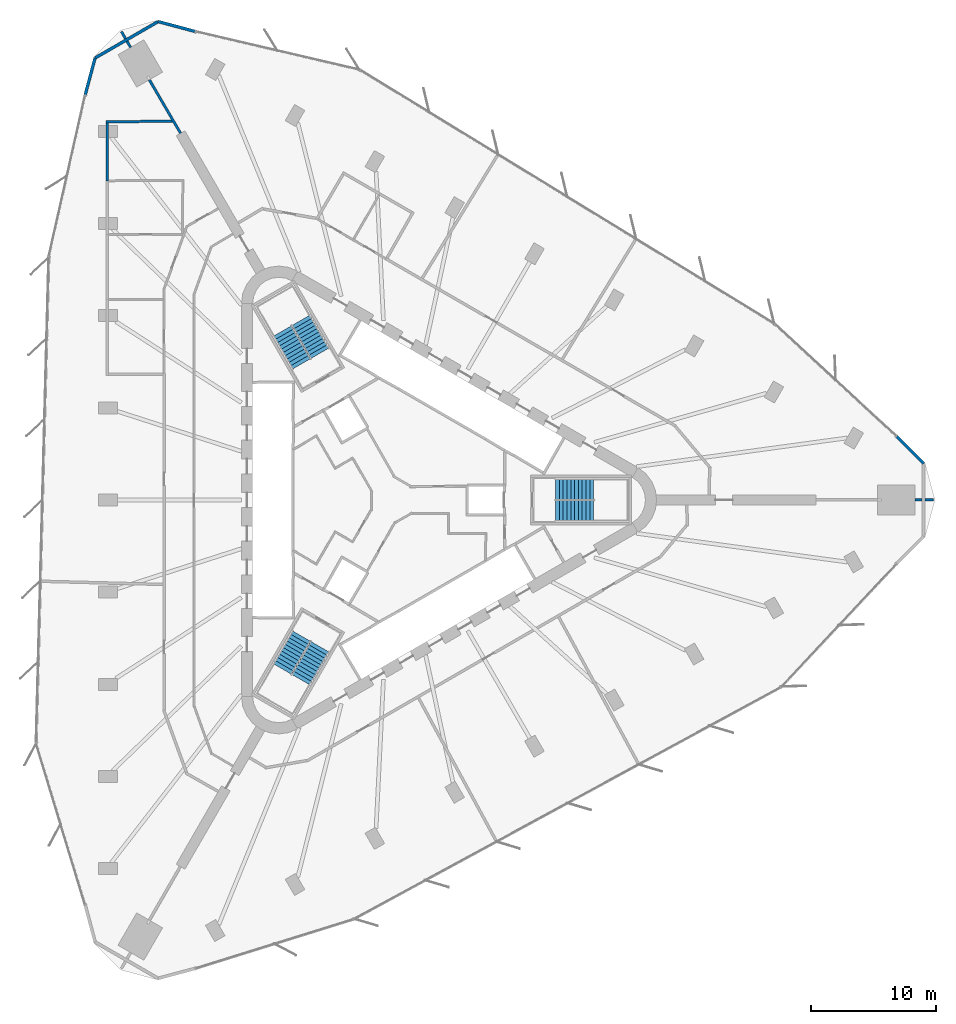
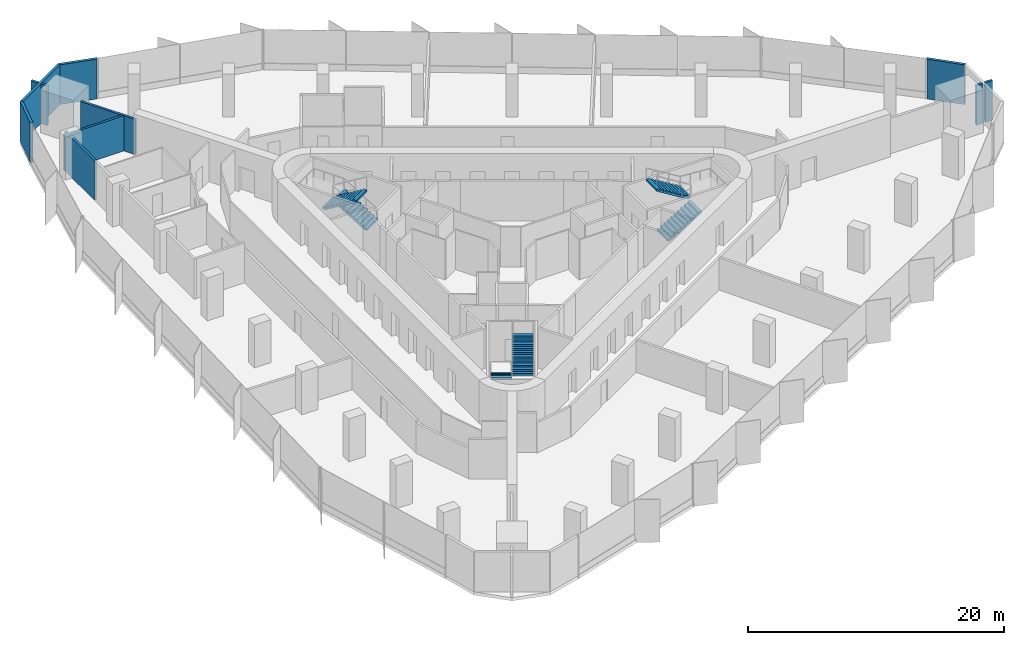
# One storey, part 13 of 14: 11 walls, 6 stair flights, 3 elements without a shape of their own.
"""IFC4 building model written with IfcOpenShell, lengths in metres."""

from ifc_helpers import new_model, si_unit, direction, frame, frame_2d, origin, place, context, subcontext, project, spatial, polyline, rectangle, outline, extrude, material, layer, layer_set, type_object, element, aggregate, save


model = new_model("IFC4")

# Units and contexts
model_context = context("Model", 3, precision=1e-05, world=origin(), true_north=direction((0.0, 1.0)))
body_context = subcontext(model_context, "Body", "Model", "MODEL_VIEW")
ifc_project = project(units=[si_unit("LENGTHUNIT", "METRE"), si_unit("AREAUNIT", "SQUARE_METRE"), si_unit("VOLUMEUNIT", "CUBIC_METRE"), si_unit("PLANEANGLEUNIT", "RADIAN"), si_unit("MASSUNIT", "GRAM", prefix="KILO")], contexts=[model_context])

# Site, building, storey
site_placement = place(None, origin())
site = spatial("IfcSite", under=ifc_project, at=site_placement, CompositionType="ELEMENT")
building_placement = place(site_placement, origin())
building = spatial("IfcBuilding", under=site, at=building_placement, Name="Tanit Gate Tower", CompositionType="ELEMENT")
storey_placement = place(building_placement, frame((0.0, 0.0, 119.300048828125)))
storey = spatial("IfcBuildingStorey", under=building, at=storey_placement, Name="L25", CompositionType="ELEMENT", Elevation=119.300048828125)

# Walls
ifc_material_1 = material(Name="Concrete C30/37 with bronze anodised aluminium cladding", Category="concrete")
ifc_layer_1 = layer(ifc_material_1, 0.239990234375)
ifc_layer_set_1 = layer_set([ifc_layer_1], Name="Facade wall bronze clad 240")
wall_type_1 = type_object("IfcWallType", Name="Facade wall bronze clad 240", PredefinedType="SOLIDWALL", material=ifc_layer_set_1)
wall_1_placement = place(storey_placement, frame((-15.81689453125, 37.57763671875, 0.0), z_axis=(0.0, 0.0, 1.0), x_axis=(-0.965920651814, 0.258838355735, 0.0)))
element("IfcWall", 1, at=wall_1_placement, inside=storey, type_object=wall_type_1, Name="Bronze-clad facade wall L25 NW.arc1", PredefinedType="SOLIDWALL", context=body_context, shape_type="SweptSolid", body=[
    extrude(rectangle(XDim=3.062744140625, YDim=0.239990234375, at=frame_2d((1.53125, 0.0))), origin(), (0.0, 0.0, 1.0), 3.800048828125),
])
wall_2_placement = place(storey_placement, frame((-18.775146484375, 38.370361328125, 0.0), z_axis=(0.0, 0.0, 1.0), x_axis=(-0.866031321059, -0.49998975084, 0.0)))
element("IfcWall", 2, at=wall_2_placement, inside=storey, type_object=wall_type_1, Name="Bronze-clad facade wall L25 NW.arc2", PredefinedType="SOLIDWALL", context=body_context, shape_type="SweptSolid", body=[
    extrude(rectangle(XDim=5.8505859375, YDim=0.239990234375, at=frame_2d((2.92529296875, 0.0))), origin(), (0.0, 0.0, 1.0), 3.800048828125),
])
for number, where, z_axis, x_axis, name in (
    (3, (-23.842041015625, 35.445068359375, 0.0), (0.0, 0.0, 1.0), (-0.258805249011, -0.965929522835, 0.0), "Bronze-clad facade wall L25 NW.arc3"),
    (4, (42.617431640625, 2.92529296875, 0.0), (0.0, 0.0, 1.0), (-0.707106781187, 0.707106781187, 0.0), "Bronze-clad facade wall L25 E.arc3"),
):
    element("IfcWall", number, at=place(storey_placement, frame(where, z_axis=z_axis, x_axis=x_axis)), inside=storey, type_object=wall_type_1, Name=name, PredefinedType="SOLIDWALL", context=body_context, shape_type="SweptSolid", body=[
        extrude(rectangle(XDim=3.058349609375, YDim=0.239990234375, at=frame_2d((1.529296875, 0.0))), origin(), (0.0, 0.0, 1.0), 3.800048828125),
    ])
ifc_material_2 = material(Name="Fire-rated gypsum board partition")
ifc_layer_2 = layer(ifc_material_2, 0.199951171875)
ifc_layer_set_2 = layer_set([ifc_layer_2], Name="INT-WALL-COMPARTMENT")
wall_type_2 = type_object("IfcWallType", Name="INT-WALL-COMPARTMENT", PredefinedType="PARTITIONING", material=ifc_layer_set_2)
wall_3_placement = place(storey_placement, frame((-21.72265625, 37.564697265625, 0.0), z_axis=(0.0, 0.0, 1.0), x_axis=(0.499862072928, -0.866105021373, 0.0)))
element("IfcWall", 5, at=wall_3_placement, inside=storey, type_object=wall_type_2, Name="Wall Compartment W116", PredefinedType="PARTITIONING", context=body_context, shape_type="SweptSolid", body=[
    extrude(rectangle(XDim=0.656005859375, YDim=0.199951171875, at=frame_2d((0.328125, 0.0))), origin(), (0.0, 0.0, 1.0), 3.800048828125),
])
wall_4_placement = place(storey_placement, frame((-21.274658203125, 36.788818359375, 0.0), z_axis=(0.0, 0.0, 1.0), x_axis=(0.499857944771, -0.866107403877, 0.0)))
element("IfcWall", 6, at=wall_4_placement, inside=storey, type_object=wall_type_2, Name="Wall Compartment W116x1", PredefinedType="PARTITIONING", context=body_context, shape_type="SweptSolid", body=[
    extrude(rectangle(XDim=0.572021484375, YDim=0.199951171875, at=frame_2d((0.2861328125, 0.0))), origin(), (0.0, 0.0, 1.0), 3.800048828125),
])
wall_5_placement = place(storey_placement, frame((-19.48876953125, 33.695556640625, 0.0), z_axis=(0.0, 0.0, 1.0), x_axis=(0.50520690072, -0.862998254613, 0.0)))
element("IfcWall", 7, at=wall_5_placement, inside=storey, type_object=wall_type_2, Name="Wall Compartment W117", PredefinedType="PARTITIONING", context=body_context, shape_type="SweptSolid", body=[
    extrude(rectangle(XDim=4.96337890625, YDim=0.199951171875, at=frame_2d((2.481689453125, 0.0))), origin(), (0.0, 0.0, 1.0), 3.369873046875),
])
wall_6_placement = place(storey_placement, frame((-22.85009765625, 25.599853515625, 0.0), z_axis=(0.0, 0.0, 1.0), x_axis=(0.0, 1.0, 0.0)))
element("IfcWall", 8, at=wall_6_placement, inside=storey, type_object=wall_type_2, Name="Wall Compartment W123", PredefinedType="PARTITIONING", context=body_context, shape_type="SweptSolid", body=[
    extrude(rectangle(XDim=4.64013671875, YDim=0.199951171875, at=frame_2d((2.320068359375, 0.0))), origin(), (0.0, 0.0, 1.0), 3.800048828125),
])
wall_7_placement = place(storey_placement, frame((-17.5341796875, 30.3701171875, 0.0), z_axis=(0.0, 0.0, 1.0), x_axis=(-0.999983869047, -0.00567993362, 0.0)))
element("IfcWall", 9, at=wall_7_placement, inside=storey, type_object=wall_type_2, Name="Wall Compartment W122", PredefinedType="PARTITIONING", context=body_context, shape_type="SweptSolid", body=[
    extrude(rectangle(XDim=5.415771484375, YDim=0.199951171875, at=frame_2d((2.7080078125, 0.0))), origin(), (0.0, 0.0, 1.0), 3.369873046875),
])
wall_8_placement = place(storey_placement, frame((43.39306640625, 0.030029296875, 0.0), z_axis=(0.0, 0.0, 1.0), x_axis=(-1.0, 0.0, 0.0)))
element("IfcWall", 10, at=wall_8_placement, inside=storey, type_object=wall_type_2, Name="Wall Compartment W132", PredefinedType="PARTITIONING", context=body_context, shape_type="SweptSolid", body=[
    extrude(rectangle(XDim=0.65576171875, YDim=0.199951171875, at=frame_2d((0.327880859375, 0.0))), origin(), (0.0, 0.0, 1.0), 3.800048828125),
])
wall_9_placement = place(storey_placement, frame((42.497314453125, 0.030029296875, 0.0), z_axis=(0.0, 0.0, 1.0), x_axis=(-1.0, 0.0, 0.0)))
element("IfcWall", 11, at=wall_9_placement, inside=storey, type_object=wall_type_2, Name="Wall Compartment W132x1", PredefinedType="PARTITIONING", context=body_context, shape_type="SweptSolid", body=[
    extrude(rectangle(XDim=0.572021484375, YDim=0.199951171875, at=frame_2d((0.2861328125, 0.0))), origin(), (0.0, 0.0, 1.0), 3.800048828125),
])

# Stair, stair flights
ifc_material_3 = material(Name="Concrete C40/50", Category="concrete")
stair_type = type_object("IfcStairType", Name="INT-STAIR-EXIT", PredefinedType="HALF_TURN_STAIR", material=ifc_material_3)
stair_1_placement = place(storey_placement, origin())
stair_1 = element("IfcStair", 12, at=stair_1_placement, inside=storey, type_object=stair_type, Name="L25 STAIR S1", PredefinedType="HALF_TURN_STAIR")
ifc_material_4 = material(Name="Concrete C40/50", Category="concrete")
stair_flight_type = type_object("IfcStairFlightType", Name="INT-STAIR-FLIGHT", PredefinedType="STRAIGHT", material=ifc_material_4)
stair_flight_1_placement = place(storey_placement, frame((13.094970703125, -0.8525390625, 0.0), z_axis=(0.0, 0.0, 1.0), x_axis=(1.0, 0.0, 0.0)))
stair_flight_1 = element("IfcStairFlight", 13, at=stair_flight_1_placement, type_object=stair_flight_type, Name="S1 flight 1", NumberOfRisers=11, NumberOfTreads=10, PredefinedType="STRAIGHT", RiserHeight=0.186363636, TreadLength=0.3051, context=body_context, shape_type="SweptSolid", body=[
    extrude(outline(polyline([(0.0, 0.0), (0.0, 0.186279296875), (0.30517578125, 0.186279296875), (0.30517578125, 0.372802734375), (0.610107421875, 0.372802734375), (0.610107421875, 0.55908203125), (0.915283203125, 0.55908203125), (0.915283203125, 0.745361328125), (1.220458984375, 0.745361328125), (1.220458984375, 0.931884765625), (1.525390625, 0.931884765625), (1.525390625, 1.1181640625), (1.83056640625, 1.1181640625), (1.83056640625, 1.304443359375), (2.1357421875, 1.304443359375), (2.1357421875, 1.490966796875), (2.44091796875, 1.490966796875), (2.44091796875, 1.67724609375), (2.745849609375, 1.67724609375), (2.745849609375, 1.863525390625), (3.051025390625, 1.863525390625), (3.051025390625, 2.050048828125), (3.051025390625, 1.68798828125), (0.28759765625, 0.0), (0.0, 0.0)])), frame((0.0, 0.84765625, 0.0), z_axis=(0.0, -1.0, 0.0), x_axis=(1.0, 0.0, 0.0)), (0.0, 0.0, 1.0), 1.695068359375),
])
stair_flight_2_placement = place(storey_placement, frame((16.14599609375, 0.8525390625, 2.050048828125), z_axis=(0.0, 0.0, 1.0), x_axis=(-1.0, 0.0, 0.0)))
stair_flight_2 = element("IfcStairFlight", 14, at=stair_flight_2_placement, type_object=stair_flight_type, Name="S1 flight 2", NumberOfRisers=11, NumberOfTreads=10, PredefinedType="STRAIGHT", RiserHeight=0.186363636, TreadLength=0.3051, context=body_context, shape_type="SweptSolid", body=[
    extrude(outline(polyline([(0.0, 0.0), (0.0, 0.186279296875), (0.30517578125, 0.186279296875), (0.30517578125, 0.372802734375), (0.610107421875, 0.372802734375), (0.610107421875, 0.55908203125), (0.915283203125, 0.55908203125), (0.915283203125, 0.745361328125), (1.220458984375, 0.745361328125), (1.220458984375, 0.931884765625), (1.525390625, 0.931884765625), (1.525390625, 1.1181640625), (1.83056640625, 1.1181640625), (1.83056640625, 1.304443359375), (2.1357421875, 1.304443359375), (2.1357421875, 1.490966796875), (2.44091796875, 1.490966796875), (2.44091796875, 1.67724609375), (2.745849609375, 1.67724609375), (2.745849609375, 1.863525390625), (3.051025390625, 1.863525390625), (3.051025390625, 2.050048828125), (3.051025390625, 1.68798828125), (0.28759765625, 0.0), (0.0, 0.0)])), frame((0.0, 0.84765625, 0.0), z_axis=(0.0, -1.0, 0.0), x_axis=(1.0, 0.0, 0.0)), (0.0, 0.0, 1.0), 1.695068359375),
])
aggregate(stair_1, [stair_flight_1, stair_flight_2])

stair_2_placement = place(storey_placement, origin())
stair_2 = element("IfcStair", 15, at=stair_2_placement, inside=storey, type_object=stair_type, Name="L25 STAIR S2", PredefinedType="HALF_TURN_STAIR")
stair_flight_3_placement = place(storey_placement, frame((-5.808349609375, 11.766357421875, 0.0), z_axis=(0.0, 0.0, 1.0), x_axis=(-0.5, 0.866025403784, 0.0)))
stair_flight_3 = element("IfcStairFlight", 16, at=stair_flight_3_placement, type_object=stair_flight_type, Name="S2 flight 1", NumberOfRisers=11, NumberOfTreads=10, PredefinedType="STRAIGHT", RiserHeight=0.186363636, TreadLength=0.30492, context=body_context, shape_type="SweptSolid", body=[
    extrude(outline(polyline([(0.0, 0.0), (0.0, 0.186279296875), (0.304931640625, 0.186279296875), (0.304931640625, 0.372802734375), (0.60986328125, 0.372802734375), (0.60986328125, 0.55908203125), (0.914794921875, 0.55908203125), (0.914794921875, 0.745361328125), (1.2197265625, 0.745361328125), (1.2197265625, 0.931884765625), (1.524658203125, 0.931884765625), (1.524658203125, 1.1181640625), (1.82958984375, 1.1181640625), (1.82958984375, 1.304443359375), (2.134521484375, 1.304443359375), (2.134521484375, 1.490966796875), (2.439453125, 1.490966796875), (2.439453125, 1.67724609375), (2.744384765625, 1.67724609375), (2.744384765625, 1.863525390625), (3.04931640625, 1.863525390625), (3.04931640625, 2.050048828125), (3.04931640625, 1.68798828125), (0.287353515625, 0.0), (0.0, 0.0)])), frame((0.0, 0.84716796875, 0.0), z_axis=(0.0, -1.0, 0.0), x_axis=(1.0, 0.0, 0.0)), (0.0, 0.0, 1.0), 1.694091796875),
])
stair_flight_4_placement = place(storey_placement, frame((-8.810302734375, 13.553955078125, 2.050048828125), z_axis=(0.0, 0.0, 1.0), x_axis=(0.5, -0.866025403784, 0.0)))
stair_flight_4 = element("IfcStairFlight", 17, at=stair_flight_4_placement, type_object=stair_flight_type, Name="S2 flight 2", NumberOfRisers=11, NumberOfTreads=10, PredefinedType="STRAIGHT", RiserHeight=0.186363636, TreadLength=0.30492, context=body_context, shape_type="SweptSolid", body=[
    extrude(outline(polyline([(0.0, 0.0), (0.0, 0.186279296875), (0.304931640625, 0.186279296875), (0.304931640625, 0.372802734375), (0.60986328125, 0.372802734375), (0.60986328125, 0.55908203125), (0.914794921875, 0.55908203125), (0.914794921875, 0.745361328125), (1.2197265625, 0.745361328125), (1.2197265625, 0.931884765625), (1.524658203125, 0.931884765625), (1.524658203125, 1.1181640625), (1.82958984375, 1.1181640625), (1.82958984375, 1.304443359375), (2.134521484375, 1.304443359375), (2.134521484375, 1.490966796875), (2.439453125, 1.490966796875), (2.439453125, 1.67724609375), (2.744384765625, 1.67724609375), (2.744384765625, 1.863525390625), (3.04931640625, 1.863525390625), (3.04931640625, 2.050048828125), (3.04931640625, 1.68798828125), (0.287353515625, 0.0), (0.0, 0.0)])), frame((0.0, 0.84716796875, 0.0), z_axis=(0.0, -1.0, 0.0), x_axis=(1.0, 0.0, 0.0)), (0.0, 0.0, 1.0), 1.694091796875),
])
aggregate(stair_2, [stair_flight_3, stair_flight_4])

stair_3_placement = place(storey_placement, origin())
stair_3 = element("IfcStair", 18, at=stair_3_placement, inside=storey, type_object=stair_type, Name="L25 STAIR S3", PredefinedType="HALF_TURN_STAIR")
stair_flight_5_placement = place(storey_placement, frame((-7.285888671875, -10.914306640625, 0.0), z_axis=(0.0, 0.0, 1.0), x_axis=(-0.5, -0.866025403784, 0.0)))
stair_flight_5 = element("IfcStairFlight", 19, at=stair_flight_5_placement, type_object=stair_flight_type, Name="S3 flight 1", NumberOfRisers=11, NumberOfTreads=10, PredefinedType="STRAIGHT", RiserHeight=0.186363636, TreadLength=0.3051, context=body_context, shape_type="SweptSolid", body=[
    extrude(outline(polyline([(0.0, 0.0), (0.0, 0.186279296875), (0.30517578125, 0.186279296875), (0.30517578125, 0.372802734375), (0.610107421875, 0.372802734375), (0.610107421875, 0.55908203125), (0.915283203125, 0.55908203125), (0.915283203125, 0.745361328125), (1.220458984375, 0.745361328125), (1.220458984375, 0.931884765625), (1.525390625, 0.931884765625), (1.525390625, 1.1181640625), (1.83056640625, 1.1181640625), (1.83056640625, 1.304443359375), (2.1357421875, 1.304443359375), (2.1357421875, 1.490966796875), (2.44091796875, 1.490966796875), (2.44091796875, 1.67724609375), (2.745849609375, 1.67724609375), (2.745849609375, 1.863525390625), (3.051025390625, 1.863525390625), (3.051025390625, 2.050048828125), (3.051025390625, 1.68798828125), (0.28759765625, 0.0), (0.0, 0.0)])), frame((0.0, 0.84765625, 0.0), z_axis=(0.0, -1.0, 0.0), x_axis=(1.0, 0.0, 0.0)), (0.0, 0.0, 1.0), 1.695068359375),
])
stair_flight_6_placement = place(storey_placement, frame((-7.334716796875, -14.4091796875, 2.050048828125), z_axis=(0.0, 0.0, 1.0), x_axis=(0.5, 0.866025403784, 0.0)))
stair_flight_6 = element("IfcStairFlight", 20, at=stair_flight_6_placement, type_object=stair_flight_type, Name="S3 flight 2", NumberOfRisers=11, NumberOfTreads=10, PredefinedType="STRAIGHT", RiserHeight=0.186363636, TreadLength=0.3051, context=body_context, shape_type="SweptSolid", body=[
    extrude(outline(polyline([(0.0, 0.0), (0.0, 0.186279296875), (0.30517578125, 0.186279296875), (0.30517578125, 0.372802734375), (0.610107421875, 0.372802734375), (0.610107421875, 0.55908203125), (0.915283203125, 0.55908203125), (0.915283203125, 0.745361328125), (1.220458984375, 0.745361328125), (1.220458984375, 0.931884765625), (1.525390625, 0.931884765625), (1.525390625, 1.1181640625), (1.83056640625, 1.1181640625), (1.83056640625, 1.304443359375), (2.1357421875, 1.304443359375), (2.1357421875, 1.490966796875), (2.44091796875, 1.490966796875), (2.44091796875, 1.67724609375), (2.745849609375, 1.67724609375), (2.745849609375, 1.863525390625), (3.051025390625, 1.863525390625), (3.051025390625, 2.050048828125), (3.051025390625, 1.68798828125), (0.28759765625, 0.0), (0.0, 0.0)])), frame((0.0, 0.84765625, 0.0), z_axis=(0.0, -1.0, 0.0), x_axis=(1.0, 0.0, 0.0)), (0.0, 0.0, 1.0), 1.695068359375),
])
aggregate(stair_3, [stair_flight_5, stair_flight_6])

save(model, "model.ifc")
